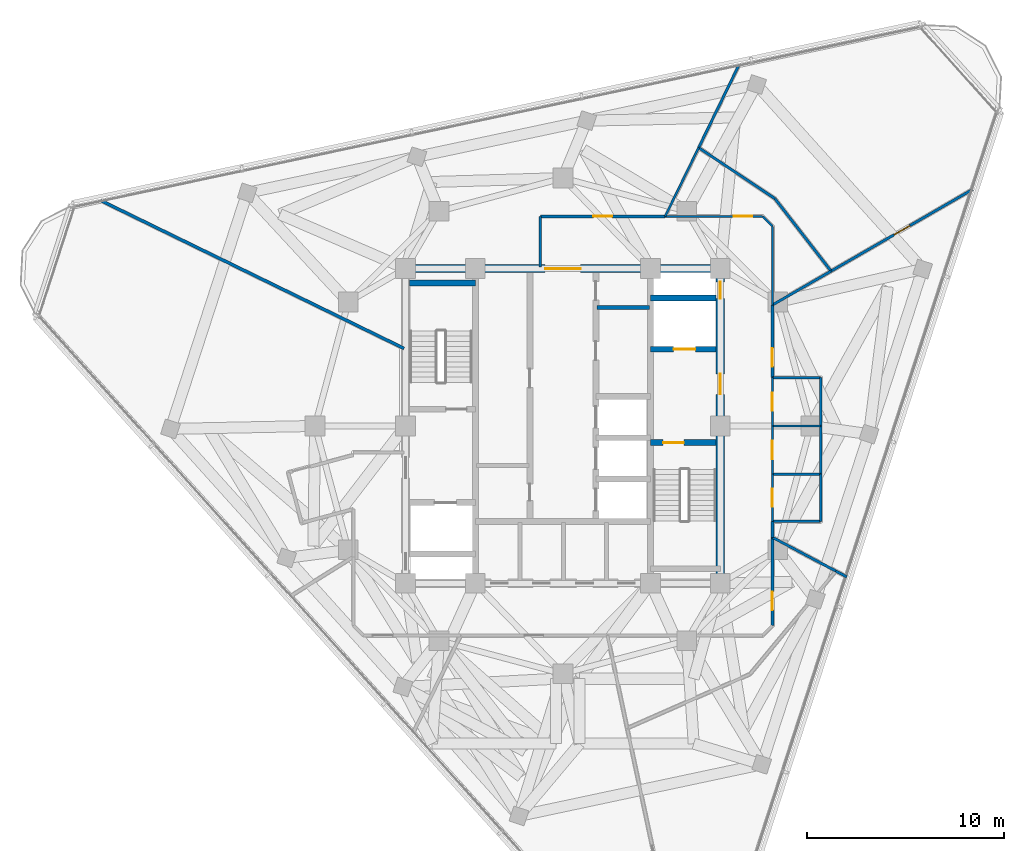
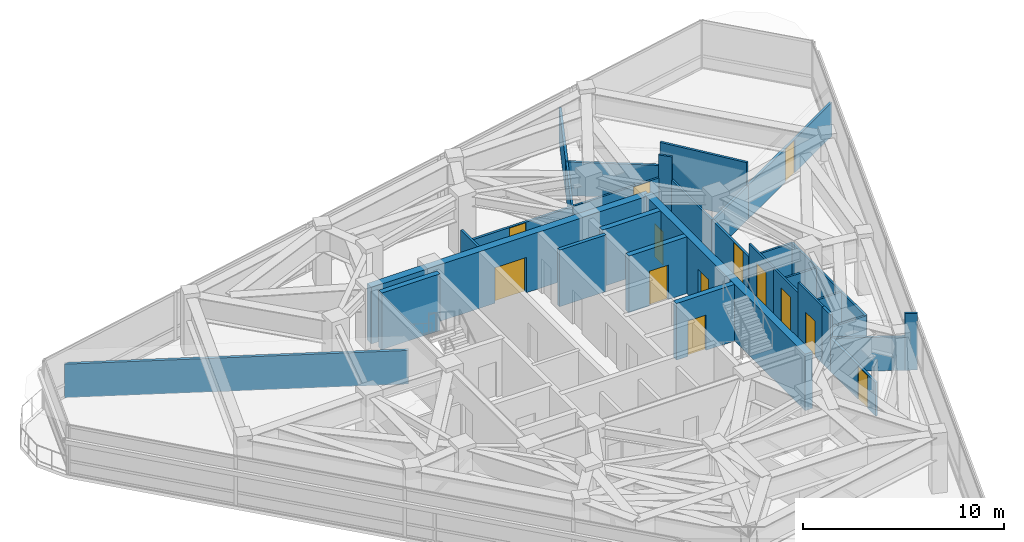
# One storey, part 9 of 15: 34 walls, 13 doors, 13 openings.
"""IFC4 building model written with IfcOpenShell, lengths in metres."""

from ifc_helpers import new_model, si_unit, direction, frame, frame_2d, origin, place, context, subcontext, project, spatial, rectangle, extrude, material, layer, layer_set, type_object, element, fill, save


model = new_model("IFC4")

# Units and contexts
model_context = context("Model", 3, precision=1e-05, world=origin(), true_north=direction((0.0, 1.0)))
body_context = subcontext(model_context, "Body", "Model", "MODEL_VIEW")
ifc_project = project(units=[si_unit("LENGTHUNIT", "METRE"), si_unit("AREAUNIT", "SQUARE_METRE"), si_unit("VOLUMEUNIT", "CUBIC_METRE"), si_unit("PLANEANGLEUNIT", "RADIAN"), si_unit("MASSUNIT", "GRAM", prefix="KILO")], contexts=[model_context])

# Site, building, storey
site_placement = place(None, origin())
site = spatial("IfcSite", under=ifc_project, at=site_placement, CompositionType="ELEMENT")
building_placement = place(site_placement, origin())
building = spatial("IfcBuilding", under=site, at=building_placement, Name="Terralouvre Media Tower", CompositionType="ELEMENT")
storey_placement = place(building_placement, frame((0.0, 0.0, 309.10009765625)))
storey = spatial("IfcBuildingStorey", under=building, at=storey_placement, Name="L80", CompositionType="ELEMENT", Elevation=309.10009765625)

# Wall
ifc_material_1 = material(Name="Concrete C50/60", Category="concrete")
ifc_layer_1 = layer(ifc_material_1, 0.300048828125, Name="Core Internal Shaft Wall CW-300")
ifc_layer_set_1 = layer_set([ifc_layer_1], Name="Concrete C50/60")
wall_type_1 = type_object("IfcWallType", Name="Core Internal Shaft Wall CW-300", PredefinedType="SHEAR", material=ifc_layer_set_1)
wall_1_placement = place(storey_placement, frame((-7.7900390625, 7.260009765625, 0.0), z_axis=(0.0, 0.0, 1.0), x_axis=(1.0, 0.0, 0.0)))
element("IfcWall", 1, at=wall_1_placement, inside=storey, type_object=wall_type_1, Name="L80 Core Shaft Wall ST1F", PredefinedType="SHEAR", context=body_context, shape_type="SweptSolid", body=[
    extrude(rectangle(XDim=3.340087890625, YDim=0.300048828125, at=frame_2d((1.669921875, 0.0))), origin(), (0.0, 0.0, 1.0), 3.43994140625),
])

# Wall, opening, door
wall_2_placement = place(storey_placement, frame((4.449951171875, -0.85009765625, 0.0), z_axis=(0.0, 0.0, 1.0), x_axis=(1.0, 0.0, 0.0)))
wall_2 = element("IfcWall", 2, at=wall_2_placement, inside=storey, type_object=wall_type_1, Name="L80 Core Shaft Wall ST2D", PredefinedType="SHEAR", context=body_context, shape_type="SweptSolid", body=[
    extrude(rectangle(XDim=3.340087890625, YDim=0.300048828125, at=frame_2d((1.669921875, 0.0))), origin(), (0.0, 0.0, 1.0), 3.43994140625),
])
opening_1_placement = place(wall_2_placement, frame((0.64990234375, 0.0, 0.0)))
opening_1 = element("IfcOpeningElement", 3, at=opening_1_placement, cuts=wall_2, Name="Opening FD-01-105X215", PredefinedType="OPENING", context=body_context, shape_type="SweptSolid", body=[
    extrude(rectangle(XDim=1.050048828125, YDim=2.14990234375, at=frame_2d((0.52490234375, 1.074951171875))), frame((0.0, 0.159912109375, 0.0), z_axis=(0.0, -1.0, 0.0), x_axis=(1.0, 0.0, 0.0)), (0.0, 0.0, 1.0), 0.320068359375),
])
ifc_material_2 = material(Name="Galvanised steel fire-resisting leaf", Category="steel")
door_type_1 = type_object("IfcDoorType", Name="Stair and Firefighting Lobby Fire Door FD-01 (1050x2150)", OperationType="NOTDEFINED", PredefinedType="DOOR", material=ifc_material_2)
door_1_placement = place(opening_1_placement, origin())
door_1 = element("IfcDoor", 4, at=door_1_placement, inside=storey, type_object=door_type_1, Name="L80 ST-02 Exit Stair Door", OperationType="SINGLE_SWING_RIGHT", OverallHeight=2.14990234375, OverallWidth=1.050048828125, PredefinedType="DOOR", context=body_context, shape_type="SweptSolid", body=[
    extrude(rectangle(XDim=1.050048828125, YDim=2.14990234375, at=frame_2d((0.52490234375, 1.074951171875))), frame((0.0, 0.02490234375, 0.0), z_axis=(0.0, -1.0, 0.0), x_axis=(1.0, 0.0, 0.0)), (0.0, 0.0, 1.0), 0.050048828125),
])
fill(opening_1, door_1)

wall_3_placement = place(storey_placement, frame((4.449951171875, 3.89990234375, 0.0), z_axis=(0.0, 0.0, 1.0), x_axis=(1.0, 0.0, 0.0)))
wall_3 = element("IfcWall", 5, at=wall_3_placement, inside=storey, type_object=wall_type_1, Name="L80 Core Shaft Wall FF2S", PredefinedType="SHEAR", context=body_context, shape_type="SweptSolid", body=[
    extrude(rectangle(XDim=3.340087890625, YDim=0.300048828125, at=frame_2d((1.669921875, 0.0))), origin(), (0.0, 0.0, 1.0), 3.43994140625),
])
opening_2_placement = place(wall_3_placement, frame((1.179931640625, 0.0, 0.0)))
opening_2 = element("IfcOpeningElement", 6, at=opening_2_placement, cuts=wall_3, Name="Opening LD-FF", PredefinedType="OPENING", context=body_context, shape_type="SweptSolid", body=[
    extrude(rectangle(XDim=1.10009765625, YDim=2.10009765625, at=frame_2d((0.550048828125, 1.050048828125))), frame((0.0, 0.159912109375, 0.0), z_axis=(0.0, -1.0, 0.0), x_axis=(1.0, 0.0, 0.0)), (0.0, 0.0, 1.0), 0.320068359375),
])
ifc_material_3 = material(Name="Stainless steel 316 handrail and balustrade", Category="steel")
door_type_2 = type_object("IfcDoorType", Name="Firefighting Lift Sliding Landing Door LD-FF", OperationType="SLIDING_TO_LEFT", PredefinedType="DOOR", material=ifc_material_3)
door_2_placement = place(opening_2_placement, origin())
door_2 = element("IfcDoor", 7, at=door_2_placement, inside=storey, type_object=door_type_2, Name="L80 Firefighting Lift FFL-02 Landing Door", OperationType="SLIDING_TO_LEFT", OverallHeight=2.10009765625, OverallWidth=1.10009765625, PredefinedType="DOOR", context=body_context, shape_type="SweptSolid", body=[
    extrude(rectangle(XDim=1.10009765625, YDim=2.10009765625, at=frame_2d((0.550048828125, 1.050048828125))), frame((0.0, 0.02490234375, 0.0), z_axis=(0.0, -1.0, 0.0), x_axis=(1.0, 0.0, 0.0)), (0.0, 0.0, 1.0), 0.050048828125),
])
fill(opening_2, door_2)

# Wall
wall_4_placement = place(storey_placement, frame((4.449951171875, 6.5, 0.0), z_axis=(0.0, 0.0, 1.0), x_axis=(1.0, 0.0, 0.0)))
element("IfcWall", 8, at=wall_4_placement, inside=storey, type_object=wall_type_1, Name="L80 Core Shaft Wall FF2N", PredefinedType="SHEAR", context=body_context, shape_type="SweptSolid", body=[
    extrude(rectangle(XDim=3.340087890625, YDim=0.300048828125, at=frame_2d((1.669921875, 0.0))), origin(), (0.0, 0.0, 1.0), 3.43994140625),
])

# Wall, openings, doors
ifc_material_4 = material(Name="Concrete C60/75", Category="concrete")
ifc_layer_2 = layer(ifc_material_4, 0.419921875, Name="Core Reinforced Concrete Shear Wall CW-420")
ifc_layer_set_2 = layer_set([ifc_layer_2], Name="Concrete C60/75")
wall_type_2 = type_object("IfcWallType", Name="Core Reinforced Concrete Shear Wall CW-420", PredefinedType="SHEAR", material=ifc_layer_set_2)
wall_5_placement = place(storey_placement, frame((8.0, -8.0, 0.0), z_axis=(0.0, 0.0, 1.0), x_axis=(0.0, 1.0, 0.0)))
wall_5 = element("IfcWall", 9, at=wall_5_placement, inside=storey, type_object=wall_type_2, Name="L80 E Core Shear Wall", PredefinedType="SHEAR", context=body_context, shape_type="SweptSolid", body=[
    extrude(rectangle(XDim=16.0, YDim=0.419921875, at=frame_2d((8.0, 0.0))), origin(), (0.0, 0.0, 1.0), 3.43994140625),
])
opening_3_placement = place(wall_5_placement, frame((9.60009765625, 0.0, 0.0)))
opening_3 = element("IfcOpeningElement", 10, at=opening_3_placement, cuts=wall_5, Name="Opening FD-01-105X215", PredefinedType="OPENING", context=body_context, shape_type="SweptSolid", body=[
    extrude(rectangle(XDim=1.050048828125, YDim=2.14990234375, at=frame_2d((0.52490234375, 1.074951171875))), frame((0.0, 0.219970703125, 0.0), z_axis=(0.0, -1.0, 0.0), x_axis=(1.0, 0.0, 0.0)), (0.0, 0.0, 1.0), 0.43994140625),
])
opening_4_placement = place(wall_5_placement, frame((14.468994140625, 0.0, 0.0)))
opening_4 = element("IfcOpeningElement", 11, at=opening_4_placement, cuts=wall_5, Name="Opening TD-R1", PredefinedType="OPENING", context=body_context, shape_type="SweptSolid", body=[
    extrude(rectangle(XDim=0.85009765625, YDim=2.02001953125, at=frame_2d((0.425048828125, 1.010009765625))), frame((0.0, 0.219970703125, 0.0), z_axis=(0.0, -1.0, 0.0), x_axis=(1.0, 0.0, 0.0)), (0.0, 0.0, 1.0), 0.43994140625),
])
ifc_material_5 = material(Name="Galvanised steel fire-resisting leaf", Category="steel")
door_type_3 = type_object("IfcDoorType", Name="Riser Inspection Access Trapdoor TD-R1", OperationType="NOTDEFINED", PredefinedType="TRAPDOOR", material=ifc_material_5)
door_3_placement = place(opening_4_placement, origin())
door_3 = element("IfcDoor", 12, at=door_3_placement, inside=storey, type_object=door_type_3, Name="L80 East Comms Riser Access Trapdoor", OperationType="SINGLE_SWING_RIGHT", OverallHeight=2.02001953125, OverallWidth=0.85009765625, PredefinedType="TRAPDOOR", context=body_context, shape_type="SweptSolid", body=[
    extrude(rectangle(XDim=0.85009765625, YDim=2.02001953125, at=frame_2d((0.425048828125, 1.010009765625))), frame((0.0, 0.02490234375, 0.0), z_axis=(0.0, -1.0, 0.0), x_axis=(1.0, 0.0, 0.0)), (0.0, 0.0, 1.0), 0.050048828125),
])
fill(opening_4, door_3)
door_4_placement = place(opening_3_placement, origin())
door_4 = element("IfcDoor", 13, at=door_4_placement, inside=storey, type_object=door_type_1, Name="L80 East Firefighting Lobby Entry Door", OperationType="SINGLE_SWING_LEFT", OverallHeight=2.14990234375, OverallWidth=1.050048828125, PredefinedType="DOOR", context=body_context, shape_type="SweptSolid", body=[
    extrude(rectangle(XDim=1.050048828125, YDim=2.14990234375, at=frame_2d((0.52490234375, 1.074951171875))), frame((0.0, 0.02490234375, 0.0), z_axis=(0.0, -1.0, 0.0), x_axis=(1.0, 0.0, 0.0)), (0.0, 0.0, 1.0), 0.050048828125),
])
fill(opening_3, door_4)

# Wall, opening, door
wall_6_placement = place(storey_placement, frame((-8.0, 8.0, 0.0), z_axis=(0.0, 0.0, 1.0), x_axis=(1.0, 0.0, 0.0)))
wall_6 = element("IfcWall", 14, at=wall_6_placement, inside=storey, type_object=wall_type_2, Name="L80 N Core Shear Wall", PredefinedType="SHEAR", context=body_context, shape_type="SweptSolid", body=[
    extrude(rectangle(XDim=16.0, YDim=0.419921875, at=frame_2d((8.0, 0.0))), origin(), (0.0, 0.0, 1.0), 3.43994140625),
])
opening_5_placement = place(wall_6_placement, frame((7.10009765625, 0.0, 0.0)))
opening_5 = element("IfcOpeningElement", 15, at=opening_5_placement, cuts=wall_6, Name="Opening FD-03", PredefinedType="OPENING", context=body_context, shape_type="SweptSolid", body=[
    extrude(rectangle(XDim=1.800048828125, YDim=2.14990234375, at=frame_2d((0.89990234375, 1.074951171875))), frame((0.0, 0.219970703125, 0.0), z_axis=(0.0, -1.0, 0.0), x_axis=(1.0, 0.0, 0.0)), (0.0, 0.0, 1.0), 0.43994140625),
])
ifc_material_6 = material(Name="Galvanised steel fire-resisting leaf", Category="steel")
door_type_4 = type_object("IfcDoorType", Name="Corridor Smoke-Control Double Door FD-03", OperationType="DOUBLE_DOOR_SINGLE_SWING", PredefinedType="DOOR", material=ifc_material_6)
door_5_placement = place(opening_5_placement, origin())
door_5 = element("IfcDoor", 16, at=door_5_placement, inside=storey, type_object=door_type_4, Name="L80 Central Lift Lobby Portal Door", OperationType="DOUBLE_DOOR_SINGLE_SWING", OverallHeight=2.14990234375, OverallWidth=1.800048828125, PredefinedType="DOOR", context=body_context, shape_type="SweptSolid", body=[
    extrude(rectangle(XDim=1.800048828125, YDim=2.14990234375, at=frame_2d((0.89990234375, 1.074951171875))), frame((0.0, 0.02490234375, 0.0), z_axis=(0.0, -1.0, 0.0), x_axis=(1.0, 0.0, 0.0)), (0.0, 0.0, 1.0), 0.050048828125),
])
fill(opening_5, door_5)

# Wall
ifc_material_7 = material(Name="Fire-rated gypsum board drywall partition")
ifc_layer_3 = layer(ifc_material_7, 0.199951171875, Name="Fire-Rated Shaft and Lobby Partition FW-200")
ifc_layer_set_3 = layer_set([ifc_layer_3], Name="Fire-rated gypsum board drywall partition")
wall_type_3 = type_object("IfcWallType", Name="Fire-Rated Shaft and Lobby Partition FW-200", PredefinedType="SOLIDWALL", material=ifc_layer_set_3)
wall_7_placement = place(storey_placement, frame((1.719970703125, 6.010009765625, 0.0), z_axis=(0.0, 0.0, 1.0), x_axis=(1.0, 0.0, 0.0)))
element("IfcWall", 17, at=wall_7_placement, inside=storey, type_object=wall_type_3, Name="L80 Core East Sub-Partition 1", PredefinedType="SOLIDWALL", context=body_context, shape_type="SweptSolid", body=[
    extrude(rectangle(XDim=2.679931640625, YDim=0.199951171875, at=frame_2d((1.33984375, 0.0))), origin(), (0.0, 0.0, 1.0), 3.43994140625),
])

# Wall, opening, door
ifc_material_8 = material(Name="Fire-rated gypsum board drywall partition")
ifc_layer_4 = layer(ifc_material_8, 0.135009765625, Name="Newsroom Acoustic Partition PT-135")
ifc_layer_set_4 = layer_set([ifc_layer_4], Name="Fire-rated gypsum board drywall partition")
wall_type_4 = type_object("IfcWallType", Name="Newsroom Acoustic Partition PT-135", PredefinedType="PARTITIONING", material=ifc_layer_set_4)
wall_8_placement = place(storey_placement, frame((10.64990234375, -10.14990234375, 0.0), z_axis=(0.0, 0.0, 1.0), x_axis=(0.0, 1.0, 0.0)))
wall_8 = element("IfcWall", 18, at=wall_8_placement, inside=storey, type_object=wall_type_4, Name="L80 Interior Partition 012", PredefinedType="PARTITIONING", context=body_context, shape_type="SweptSolid", body=[
    extrude(rectangle(XDim=4.48681640625, YDim=0.135009765625, at=frame_2d((2.243408203125, 0.0))), origin(), (0.0, 0.0, 1.0), 2.039794921875),
])
opening_6_placement = place(wall_8_placement, frame((0.781494140625, 0.0, 0.0)))
opening_6 = element("IfcOpeningElement", 19, at=opening_6_placement, cuts=wall_8, Name="Opening ID-02", PredefinedType="OPENING", context=body_context, shape_type="SweptSolid", body=[
    extrude(rectangle(XDim=0.949951171875, YDim=2.0, at=frame_2d((0.47509765625, 1.0))), frame((0.0, 0.077392578125, 0.0), z_axis=(0.0, -1.0, 0.0), x_axis=(1.0, 0.0, 0.0)), (0.0, 0.0, 1.0), 0.155029296875),
])
ifc_material_9 = material(Name="Engineered hardwood acoustic timber leaf", Category="wood")
door_type_5 = type_object("IfcDoorType", Name="Office and Meeting Room Door ID-02", OperationType="NOTDEFINED", PredefinedType="DOOR", material=ifc_material_9)
door_6_placement = place(opening_6_placement, origin())
door_6 = element("IfcDoor", 20, at=door_6_placement, inside=storey, type_object=door_type_5, Name="L80 Podcast Host Green Lounge 5 Door", OperationType="SINGLE_SWING_LEFT", OverallHeight=2.0, OverallWidth=0.949951171875, PredefinedType="DOOR", context=body_context, shape_type="SweptSolid", body=[
    extrude(rectangle(XDim=0.949951171875, YDim=2.0, at=frame_2d((0.47509765625, 1.0))), frame((0.0, 0.02490234375, 0.0), z_axis=(0.0, -1.0, 0.0), x_axis=(1.0, 0.0, 0.0)), (0.0, 0.0, 1.0), 0.050048828125),
])
fill(opening_6, door_6)

# Wall
wall_9_placement = place(storey_placement, frame((10.64990234375, -5.6630859375, 0.0), z_axis=(0.0, 0.0, 1.0), x_axis=(0.0, 1.0, 0.0)))
element("IfcWall", 21, at=wall_9_placement, inside=storey, type_object=wall_type_4, Name="L80 Interior Partition 016", PredefinedType="PARTITIONING", context=body_context, shape_type="SweptSolid", body=[
    extrude(rectangle(XDim=0.81298828125, YDim=0.135009765625, at=frame_2d((0.406494140625, 0.0))), origin(), (0.0, 0.0, 1.0), 3.43994140625),
])

# Wall, opening, door
wall_10_placement = place(storey_placement, frame((10.64990234375, 2.449951171875, 0.0), z_axis=(0.0, 0.0, 1.0), x_axis=(0.0, 1.0, 0.0)))
wall_10 = element("IfcWall", 22, at=wall_10_placement, inside=storey, type_object=wall_type_4, Name="L80 Interior Partition 017", PredefinedType="PARTITIONING", context=body_context, shape_type="SweptSolid", body=[
    extrude(rectangle(XDim=3.698974609375, YDim=0.135009765625, at=frame_2d((1.849609375, 0.0))), origin(), (0.0, 0.0, 1.0), 2.039794921875),
])
opening_7_placement = place(wall_10_placement, frame((0.560791015625, 0.0, 0.0)))
opening_7 = element("IfcOpeningElement", 23, at=opening_7_placement, cuts=wall_10, Name="Opening ID-02", PredefinedType="OPENING", context=body_context, shape_type="SweptSolid", body=[
    extrude(rectangle(XDim=0.949951171875, YDim=2.0, at=frame_2d((0.47509765625, 1.0))), frame((0.0, 0.077392578125, 0.0), z_axis=(0.0, -1.0, 0.0), x_axis=(1.0, 0.0, 0.0)), (0.0, 0.0, 1.0), 0.155029296875),
])
door_7_placement = place(opening_7_placement, origin())
door_7 = element("IfcDoor", 24, at=door_7_placement, inside=storey, type_object=door_type_5, Name="L80 Acoustic Listening Study 6 Door", OperationType="SINGLE_SWING_LEFT", OverallHeight=2.0, OverallWidth=0.949951171875, PredefinedType="DOOR", context=body_context, shape_type="SweptSolid", body=[
    extrude(rectangle(XDim=0.949951171875, YDim=2.0, at=frame_2d((0.47509765625, 1.0))), frame((0.0, 0.02490234375, 0.0), z_axis=(0.0, -1.0, 0.0), x_axis=(1.0, 0.0, 0.0)), (0.0, 0.0, 1.0), 0.050048828125),
])
fill(opening_7, door_7)

wall_11_placement = place(storey_placement, frame((5.194091796875, 10.64990234375, 0.0), z_axis=(0.0, 0.0, 1.0), x_axis=(-1.0, 0.0, 0.0)))
wall_11 = element("IfcWall", 25, at=wall_11_placement, inside=storey, type_object=wall_type_4, Name="L80 Interior Partition 021", PredefinedType="PARTITIONING", context=body_context, shape_type="SweptSolid", body=[
    extrude(rectangle(XDim=6.343994140625, YDim=0.135009765625, at=frame_2d((3.171875, 0.0))), origin(), (0.0, 0.0, 1.0), 2.039794921875),
])
opening_8_placement = place(wall_11_placement, frame((2.697021484375, 0.0, 0.0)))
opening_8 = element("IfcOpeningElement", 26, at=opening_8_placement, cuts=wall_11, Name="Opening ID-02", PredefinedType="OPENING", context=body_context, shape_type="SweptSolid", body=[
    extrude(rectangle(XDim=0.949951171875, YDim=2.0, at=frame_2d((0.47509765625, 1.0))), frame((0.0, 0.077392578125, 0.0), z_axis=(0.0, -1.0, 0.0), x_axis=(1.0, 0.0, 0.0)), (0.0, 0.0, 1.0), 0.155029296875),
])
door_8_placement = place(opening_8_placement, origin())
door_8 = element("IfcDoor", 27, at=door_8_placement, inside=storey, type_object=door_type_5, Name="L80 Microphone Locker Store 9 Door", OperationType="SINGLE_SWING_LEFT", OverallHeight=2.0, OverallWidth=0.949951171875, PredefinedType="DOOR", context=body_context, shape_type="SweptSolid", body=[
    extrude(rectangle(XDim=0.949951171875, YDim=2.0, at=frame_2d((0.47509765625, 1.0))), frame((0.0, 0.02490234375, 0.0), z_axis=(0.0, -1.0, 0.0), x_axis=(1.0, 0.0, 0.0)), (0.0, 0.0, 1.0), 0.050048828125),
])
fill(opening_8, door_8)

# Walls
wall_12_placement = place(storey_placement, frame((-1.14990234375, 10.64990234375, 0.0), z_axis=(0.0, 0.0, 1.0), x_axis=(0.0, -1.0, 0.0)))
element("IfcWall", 28, at=wall_12_placement, inside=storey, type_object=wall_type_4, Name="L80 Interior Partition 022", PredefinedType="PARTITIONING", context=body_context, shape_type="SweptSolid", body=[
    extrude(rectangle(XDim=2.56982421875, YDim=0.135009765625, at=frame_2d((1.284912109375, 0.0))), origin(), (0.0, 0.0, 1.0), 2.824951171875),
])
wall_13_placement = place(storey_placement, frame((14.431640625, -7.6728515625, 0.0), z_axis=(0.0, 0.0, 1.0), x_axis=(-0.88341392232, 0.468593471839, 0.0)))
element("IfcWall", 29, at=wall_13_placement, inside=storey, type_object=wall_type_4, Name="L80 Interior Partition 030", PredefinedType="PARTITIONING", context=body_context, shape_type="SweptSolid", body=[
    extrude(rectangle(XDim=0.6357421875, YDim=0.135009765625, at=frame_2d((0.31787109375, 0.0))), origin(), (0.0, 0.0, 1.0), 3.43994140625),
])
wall_14_placement = place(storey_placement, frame((13.8701171875, -7.375, 0.0), z_axis=(0.0, 0.0, 1.0), x_axis=(-0.882982204984, 0.469406461057, 0.0)))
element("IfcWall", 30, at=wall_14_placement, inside=storey, type_object=wall_type_4, Name="L80 Interior Partition 031", PredefinedType="PARTITIONING", context=body_context, shape_type="SweptSolid", body=[
    extrude(rectangle(XDim=3.64697265625, YDim=0.135009765625, at=frame_2d((1.823486328125, 0.0))), origin(), (0.0, 0.0, 1.0), 2.039794921875),
])

# Wall, opening, door
wall_15_placement = place(storey_placement, frame((20.832763671875, 12.02783203125, 0.0), z_axis=(0.0, 0.0, 1.0), x_axis=(-0.866007163819, -0.500031591216, 0.0)))
wall_15 = element("IfcWall", 31, at=wall_15_placement, inside=storey, type_object=wall_type_4, Name="L80 Interior Partition 039", PredefinedType="PARTITIONING", context=body_context, shape_type="SweptSolid", body=[
    extrude(rectangle(XDim=8.3173828125, YDim=0.135009765625, at=frame_2d((4.15869140625, 0.0))), origin(), (0.0, 0.0, 1.0), 2.039794921875),
])
opening_9_placement = place(wall_15_placement, frame((3.698486328125, 0.0, 0.0)))
opening_9 = element("IfcOpeningElement", 32, at=opening_9_placement, cuts=wall_15, Name="Opening ID-03", PredefinedType="OPENING", context=body_context, shape_type="SweptSolid", body=[
    extrude(rectangle(XDim=0.919921875, YDim=2.0, at=frame_2d((0.4599609375, 1.0))), frame((0.0, 0.077392578125, 0.0), z_axis=(0.0, -1.0, 0.0), x_axis=(1.0, 0.0, 0.0)), (0.0, 0.0, 1.0), 0.155029296875),
])
ifc_material_10 = material(Name="Engineered hardwood acoustic timber leaf", Category="wood")
door_type_6 = type_object("IfcDoorType", Name="Accessible Restroom and Suite Door ID-03", OperationType="NOTDEFINED", PredefinedType="DOOR", material=ifc_material_10)
door_9_placement = place(opening_9_placement, origin())
door_9 = element("IfcDoor", 33, at=door_9_placement, inside=storey, type_object=door_type_6, Name="L80 Sound Engineers Crew Room 7 Door", OperationType="SINGLE_SWING_LEFT", OverallHeight=2.0, OverallWidth=0.919921875, PredefinedType="DOOR", context=body_context, shape_type="SweptSolid", body=[
    extrude(rectangle(XDim=0.919921875, YDim=2.0, at=frame_2d((0.4599609375, 1.0))), frame((0.0, 0.02490234375, 0.0), z_axis=(0.0, -1.0, 0.0), x_axis=(1.0, 0.0, 0.0)), (0.0, 0.0, 1.0), 0.050048828125),
])
fill(opening_9, door_9)

# Walls
wall_16_placement = place(storey_placement, frame((13.6298828125, 7.868896484375, 0.0), z_axis=(0.0, 0.0, 1.0), x_axis=(-0.866091067331, -0.499886250151, 0.0)))
element("IfcWall", 34, at=wall_16_placement, inside=storey, type_object=wall_type_4, Name="L80 Interior Partition 040", PredefinedType="PARTITIONING", context=body_context, shape_type="SweptSolid", body=[
    extrude(rectangle(XDim=3.440673828125, YDim=0.135009765625, at=frame_2d((1.72021484375, 0.0))), origin(), (0.0, 0.0, 1.0), 2.039794921875),
])
wall_17_placement = place(storey_placement, frame((6.89892578125, 14.14501953125, 0.0), z_axis=(0.0, 0.0, 1.0), x_axis=(0.831510168033, -0.555509532283, 0.0)))
element("IfcWall", 35, at=wall_17_placement, inside=storey, type_object=wall_type_4, Name="L80 Interior Partition 041", PredefinedType="PARTITIONING", context=body_context, shape_type="SweptSolid", body=[
    extrude(rectangle(XDim=4.66259765625, YDim=0.135009765625, at=frame_2d((2.331298828125, 0.0))), origin(), (0.0, 0.0, 1.0), 2.039794921875),
])
wall_18_placement = place(storey_placement, frame((10.77587890625, 11.554931640625, 0.0), z_axis=(0.0, 0.0, 1.0), x_axis=(0.612213330569, -0.790692631731, 0.0)))
element("IfcWall", 36, at=wall_18_placement, inside=storey, type_object=wall_type_4, Name="L80 Interior Partition 042", PredefinedType="PARTITIONING", context=body_context, shape_type="SweptSolid", body=[
    extrude(rectangle(XDim=4.661865234375, YDim=0.135009765625, at=frame_2d((2.3310546875, 0.0))), origin(), (0.0, 0.0, 1.0), 3.43994140625),
])
wall_19_placement = place(storey_placement, frame((8.9541015625, 18.359130859375, 0.0), z_axis=(0.0, 0.0, 1.0), x_axis=(-0.438339504666, -0.898809478504, 0.0)))
element("IfcWall", 37, at=wall_19_placement, inside=storey, type_object=wall_type_4, Name="L80 Interior Partition 043", PredefinedType="PARTITIONING", context=body_context, shape_type="SweptSolid", body=[
    extrude(rectangle(XDim=4.6884765625, YDim=0.135009765625, at=frame_2d((2.34423828125, 0.0))), origin(), (0.0, 0.0, 1.0), 2.039794921875),
])

# Wall, opening, door
ifc_material_11 = material(Name="Fire-rated gypsum board drywall partition")
ifc_layer_5 = layer(ifc_material_11, 0.114990234375, Name="Restroom and Pantry Partition PT-115")
ifc_layer_set_5 = layer_set([ifc_layer_5], Name="Fire-rated gypsum board drywall partition")
wall_type_5 = type_object("IfcWallType", Name="Restroom and Pantry Partition PT-115", PredefinedType="PARTITIONING", material=ifc_layer_set_5)
wall_20_placement = place(storey_placement, frame((10.64990234375, -4.85009765625, 0.0), z_axis=(0.0, 0.0, 1.0), x_axis=(0.0, 1.0, 0.0)))
wall_20 = element("IfcWall", 38, at=wall_20_placement, inside=storey, type_object=wall_type_5, Name="L80 Interior Partition 013", PredefinedType="PARTITIONING", context=body_context, shape_type="SweptSolid", body=[
    extrude(rectangle(XDim=2.400146484375, YDim=0.114990234375, at=frame_2d((1.2001953125, 0.0))), origin(), (0.0, 0.0, 1.0), 3.43994140625),
])
opening_10_placement = place(wall_20_placement, frame((0.739990234375, 0.0, 0.0)))
opening_10 = element("IfcOpeningElement", 39, at=opening_10_placement, cuts=wall_20, Name="Opening ID-03-92X210", PredefinedType="OPENING", context=body_context, shape_type="SweptSolid", body=[
    extrude(rectangle(XDim=0.919921875, YDim=2.10009765625, at=frame_2d((0.4599609375, 1.050048828125))), frame((0.0, 0.0673828125, 0.0), z_axis=(0.0, -1.0, 0.0), x_axis=(1.0, 0.0, 0.0)), (0.0, 0.0, 1.0), 0.135009765625),
])
ifc_material_12 = material(Name="Engineered hardwood acoustic timber leaf", Category="wood")
door_type_7 = type_object("IfcDoorType", Name="Accessible Restroom and Suite Door ID-03 (920x2100)", OperationType="NOTDEFINED", PredefinedType="DOOR", material=ifc_material_12)
door_10_placement = place(opening_10_placement, origin())
door_10 = element("IfcDoor", 40, at=door_10_placement, inside=storey, type_object=door_type_7, Name="L80 Male Restroom WC Door", OperationType="SINGLE_SWING_RIGHT", OverallHeight=2.10009765625, OverallWidth=0.919921875, PredefinedType="DOOR", context=body_context, shape_type="SweptSolid", body=[
    extrude(rectangle(XDim=0.919921875, YDim=2.10009765625, at=frame_2d((0.4599609375, 1.050048828125))), frame((0.0, 0.02490234375, 0.0), z_axis=(0.0, -1.0, 0.0), x_axis=(1.0, 0.0, 0.0)), (0.0, 0.0, 1.0), 0.050048828125),
])
fill(opening_10, door_10)

wall_21_placement = place(storey_placement, frame((10.64990234375, -2.449951171875, 0.0), z_axis=(0.0, 0.0, 1.0), x_axis=(0.0, 1.0, 0.0)))
wall_21 = element("IfcWall", 41, at=wall_21_placement, inside=storey, type_object=wall_type_5, Name="L80 Interior Partition 014", PredefinedType="PARTITIONING", context=body_context, shape_type="SweptSolid", body=[
    extrude(rectangle(XDim=2.449951171875, YDim=0.114990234375, at=frame_2d((1.22509765625, 0.0))), origin(), (0.0, 0.0, 1.0), 2.824951171875),
])
opening_11_placement = place(wall_21_placement, frame((0.764892578125, 0.0, 0.0)))
opening_11 = element("IfcOpeningElement", 42, at=opening_11_placement, cuts=wall_21, Name="Opening ID-03-92X210", PredefinedType="OPENING", context=body_context, shape_type="SweptSolid", body=[
    extrude(rectangle(XDim=0.919921875, YDim=2.10009765625, at=frame_2d((0.4599609375, 1.050048828125))), frame((0.0, 0.0673828125, 0.0), z_axis=(0.0, -1.0, 0.0), x_axis=(1.0, 0.0, 0.0)), (0.0, 0.0, 1.0), 0.135009765625),
])
door_11_placement = place(opening_11_placement, origin())
door_11 = element("IfcDoor", 43, at=door_11_placement, inside=storey, type_object=door_type_7, Name="L80 Female Restroom WC Door", OperationType="SINGLE_SWING_LEFT", OverallHeight=2.10009765625, OverallWidth=0.919921875, PredefinedType="DOOR", context=body_context, shape_type="SweptSolid", body=[
    extrude(rectangle(XDim=0.919921875, YDim=2.10009765625, at=frame_2d((0.4599609375, 1.050048828125))), frame((0.0, 0.02490234375, 0.0), z_axis=(0.0, -1.0, 0.0), x_axis=(1.0, 0.0, 0.0)), (0.0, 0.0, 1.0), 0.050048828125),
])
fill(opening_11, door_11)

wall_22_placement = place(storey_placement, frame((10.64990234375, 0.0, 0.0), z_axis=(0.0, 0.0, 1.0), x_axis=(0.0, 1.0, 0.0)))
wall_22 = element("IfcWall", 44, at=wall_22_placement, inside=storey, type_object=wall_type_5, Name="L80 Interior Partition 015", PredefinedType="PARTITIONING", context=body_context, shape_type="SweptSolid", body=[
    extrude(rectangle(XDim=2.449951171875, YDim=0.114990234375, at=frame_2d((1.22509765625, 0.0))), origin(), (0.0, 0.0, 1.0), 2.824951171875),
])
opening_12_placement = place(wall_22_placement, frame((0.764892578125, 0.0, 0.0)))
opening_12 = element("IfcOpeningElement", 45, at=opening_12_placement, cuts=wall_22, Name="Opening ID-03-92X210", PredefinedType="OPENING", context=body_context, shape_type="SweptSolid", body=[
    extrude(rectangle(XDim=0.919921875, YDim=2.10009765625, at=frame_2d((0.4599609375, 1.050048828125))), frame((0.0, 0.0673828125, 0.0), z_axis=(0.0, -1.0, 0.0), x_axis=(1.0, 0.0, 0.0)), (0.0, 0.0, 1.0), 0.135009765625),
])
door_12_placement = place(opening_12_placement, origin())
door_12 = element("IfcDoor", 46, at=door_12_placement, inside=storey, type_object=door_type_7, Name="L80 Accessible Unisex WC Door", OperationType="SINGLE_SWING_RIGHT", OverallHeight=2.10009765625, OverallWidth=0.919921875, PredefinedType="DOOR", context=body_context, shape_type="SweptSolid", body=[
    extrude(rectangle(XDim=0.919921875, YDim=2.10009765625, at=frame_2d((0.4599609375, 1.050048828125))), frame((0.0, 0.02490234375, 0.0), z_axis=(0.0, -1.0, 0.0), x_axis=(1.0, 0.0, 0.0)), (0.0, 0.0, 1.0), 0.050048828125),
])
fill(opening_12, door_12)

# Walls
wall_23_placement = place(storey_placement, frame((10.64990234375, 6.14892578125, 0.0), z_axis=(0.0, 0.0, 1.0), x_axis=(0.0, 1.0, 0.0)))
element("IfcWall", 47, at=wall_23_placement, inside=storey, type_object=wall_type_5, Name="L80 Interior Partition 018", PredefinedType="PARTITIONING", context=body_context, shape_type="SweptSolid", body=[
    extrude(rectangle(XDim=4.0009765625, YDim=0.114990234375, at=frame_2d((2.00048828125, 0.0))), origin(), (0.0, 0.0, 1.0), 2.039794921875),
])
wall_24_placement = place(storey_placement, frame((10.64990234375, 10.14990234375, 0.0), z_axis=(0.0, 0.0, 1.0), x_axis=(-0.707106781187, 0.707106781187, 0.0)))
element("IfcWall", 48, at=wall_24_placement, inside=storey, type_object=wall_type_5, Name="L80 Interior Partition 019", PredefinedType="PARTITIONING", context=body_context, shape_type="SweptSolid", body=[
    extrude(rectangle(XDim=0.70703125, YDim=0.114990234375, at=frame_2d((0.353515625, 0.0))), origin(), (0.0, 0.0, 1.0), 3.43994140625),
])

# Wall, opening, door
wall_25_placement = place(storey_placement, frame((10.14990234375, 10.64990234375, 0.0), z_axis=(0.0, 0.0, 1.0), x_axis=(-1.0, 0.0, 0.0)))
wall_25 = element("IfcWall", 49, at=wall_25_placement, inside=storey, type_object=wall_type_5, Name="L80 Interior Partition 020", PredefinedType="PARTITIONING", context=body_context, shape_type="SweptSolid", body=[
    extrude(rectangle(XDim=4.955810546875, YDim=0.114990234375, at=frame_2d((2.47802734375, 0.0))), origin(), (0.0, 0.0, 1.0), 2.039794921875),
])
opening_13_placement = place(wall_25_placement, frame((0.51611328125, 0.0, 0.0)))
opening_13 = element("IfcOpeningElement", 50, at=opening_13_placement, cuts=wall_25, Name="Opening SD-01", PredefinedType="OPENING", context=body_context, shape_type="SweptSolid", body=[
    extrude(rectangle(XDim=0.949951171875, YDim=2.0, at=frame_2d((0.47509765625, 1.0))), frame((0.0, 0.0673828125, 0.0), z_axis=(0.0, -1.0, 0.0), x_axis=(1.0, 0.0, 0.0)), (0.0, 0.0, 1.0), 0.135009765625),
])
ifc_material_13 = material(Name="Anodised extruded aluminium 6063-T6", Category="aluminium")
door_type_8 = type_object("IfcDoorType", Name="Pantry Pocket Sliding Door SD-01", OperationType="SLIDING_TO_LEFT", PredefinedType="DOOR", material=ifc_material_13)
door_13_placement = place(opening_13_placement, origin())
door_13 = element("IfcDoor", 51, at=door_13_placement, inside=storey, type_object=door_type_8, Name="L80 Artist Hospitality Kitchen 8 Door", OperationType="SLIDING_TO_LEFT", OverallHeight=2.0, OverallWidth=0.949951171875, PredefinedType="DOOR", context=body_context, shape_type="SweptSolid", body=[
    extrude(rectangle(XDim=0.949951171875, YDim=2.0, at=frame_2d((0.47509765625, 1.0))), frame((0.0, 0.02490234375, 0.0), z_axis=(0.0, -1.0, 0.0), x_axis=(1.0, 0.0, 0.0)), (0.0, 0.0, 1.0), 0.050048828125),
])
fill(opening_13, door_13)

# Walls
for number, where, z_axis, x_axis, name in (
    (52, (13.10009765625, -2.449951171875, 0.0), (0.0, 0.0, 1.0), (-1.0, 0.0, 0.0), "L80 Interior Partition 032"),
    (53, (10.64990234375, -4.85009765625, 0.0), (0.0, 0.0, 1.0), (1.0, 0.0, 0.0), "L80 Interior Partition 033"),
):
    element("IfcWall", number, at=place(storey_placement, frame(where, z_axis=z_axis, x_axis=x_axis)), inside=storey, type_object=wall_type_5, Name=name, PredefinedType="PARTITIONING", context=body_context, shape_type="SweptSolid", body=[
        extrude(rectangle(XDim=2.4501953125, YDim=0.114990234375, at=frame_2d((1.22509765625, 0.0))), origin(), (0.0, 0.0, 1.0), 2.039794921875),
    ])
wall_26_placement = place(storey_placement, frame((13.10009765625, -4.85009765625, 0.0), z_axis=(0.0, 0.0, 1.0), x_axis=(0.0, 1.0, 0.0)))
element("IfcWall", 54, at=wall_26_placement, inside=storey, type_object=wall_type_5, Name="L80 Interior Partition 034", PredefinedType="PARTITIONING", context=body_context, shape_type="SweptSolid", body=[
    extrude(rectangle(XDim=2.400146484375, YDim=0.114990234375, at=frame_2d((1.2001953125, 0.0))), origin(), (0.0, 0.0, 1.0), 2.039794921875),
])
wall_27_placement = place(storey_placement, frame((13.10009765625, 0.0, 0.0), z_axis=(0.0, 0.0, 1.0), x_axis=(-1.0, 0.0, 0.0)))
element("IfcWall", 55, at=wall_27_placement, inside=storey, type_object=wall_type_5, Name="L80 Interior Partition 035", PredefinedType="PARTITIONING", context=body_context, shape_type="SweptSolid", body=[
    extrude(rectangle(XDim=2.4501953125, YDim=0.114990234375, at=frame_2d((1.22509765625, 0.0))), origin(), (0.0, 0.0, 1.0), 2.02978515625),
])
for number, where, z_axis, x_axis, name in (
    (56, (13.10009765625, -2.449951171875, 0.0), (0.0, 0.0, 1.0), (0.0, 1.0, 0.0), "L80 Interior Partition 036"),
    (57, (13.10009765625, 0.0, 0.0), (0.0, 0.0, 1.0), (0.0, 1.0, 0.0), "L80 Interior Partition 037"),
):
    element("IfcWall", number, at=place(storey_placement, frame(where, z_axis=z_axis, x_axis=x_axis)), inside=storey, type_object=wall_type_5, Name=name, PredefinedType="PARTITIONING", context=body_context, shape_type="SweptSolid", body=[
        extrude(rectangle(XDim=2.449951171875, YDim=0.114990234375, at=frame_2d((1.22509765625, 0.0))), origin(), (0.0, 0.0, 1.0), 2.039794921875),
    ])
wall_28_placement = place(storey_placement, frame((13.10009765625, 2.449951171875, 0.0), z_axis=(0.0, 0.0, 1.0), x_axis=(-1.0, 0.0, 0.0)))
element("IfcWall", 58, at=wall_28_placement, inside=storey, type_object=wall_type_5, Name="L80 Interior Partition 038", PredefinedType="PARTITIONING", context=body_context, shape_type="SweptSolid", body=[
    extrude(rectangle(XDim=2.4501953125, YDim=0.114990234375, at=frame_2d((1.22509765625, 0.0))), origin(), (0.0, 0.0, 1.0), 2.039794921875),
])
wall_29_placement = place(storey_placement, frame((6.89892578125, 14.14501953125, 0.0), z_axis=(0.0, 0.0, 1.0), x_axis=(-0.438402604201, -0.898778702813, 0.0)))
element("IfcWall", 59, at=wall_29_placement, inside=storey, type_object=wall_type_5, Name="L80 Interior Partition 044", PredefinedType="PARTITIONING", context=body_context, shape_type="SweptSolid", body=[
    extrude(rectangle(XDim=3.888671875, YDim=0.114990234375, at=frame_2d((1.9443359375, 0.0))), origin(), (0.0, 0.0, 1.0), 2.039794921875),
])
ifc_material_14 = material(Name="Fire-rated gypsum board drywall partition")
ifc_layer_6 = layer(ifc_material_14, 0.159912109375, Name="Studio Acoustic Rated Partition PT-160")
ifc_layer_set_6 = layer_set([ifc_layer_6], Name="Fire-rated gypsum board drywall partition")
wall_type_6 = type_object("IfcWallType", Name="Studio Acoustic Rated Partition PT-160", PredefinedType="PARTITIONING", material=ifc_layer_set_6)
wall_30_placement = place(storey_placement, frame((-8.080078125, 3.940673828125, 0.0), z_axis=(0.0, 0.0, 1.0), x_axis=(-0.898778840696, 0.438402321523, 0.0)))
element("IfcWall", 60, at=wall_30_placement, inside=storey, type_object=wall_type_6, Name="L80 Interior Partition 024", PredefinedType="PARTITIONING", context=body_context, shape_type="SweptSolid", body=[
    extrude(rectangle(XDim=17.154296875, YDim=0.159912109375, at=frame_2d((8.5771484375, 0.0))), origin(), (0.0, 0.0, 1.0), 2.039794921875),
])

save(model, "model.ifc")
